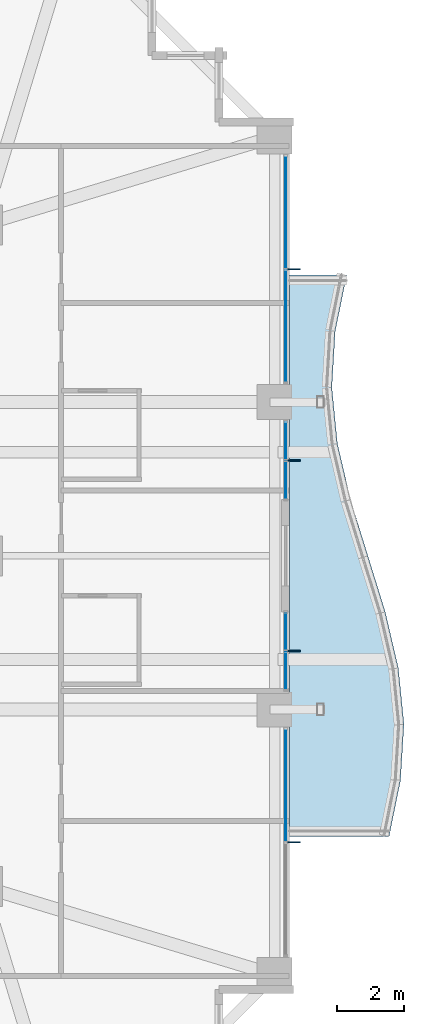
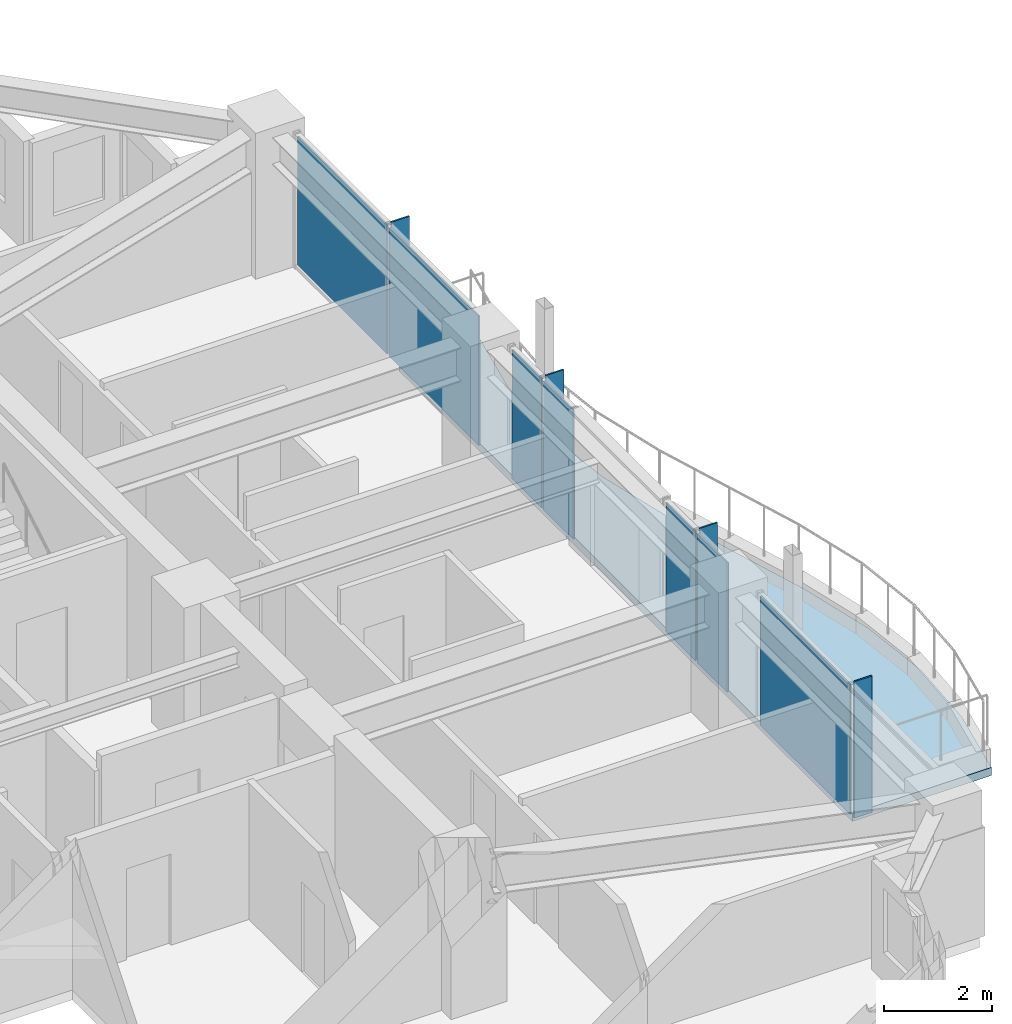
# One storey, part 27 of 35: 11 plates, 1 slab, 4 elements without a shape of their own.
"""IFC4 building model written with IfcOpenShell, lengths in metres."""

import ifcopenshell
import ifcopenshell.guid

model = None  # the IFC model being written
_history = None  # IfcOwnerHistory: only IFC2X3 demands one
_inside = {}  # id of a spatial element -> (the spatial element, [elements in it])
_under = {}  # id of a project, library or spatial element -> (it, [spatial elements below it])
_declared = {}  # id of a project -> (the project, [libraries it declares])
_typed = {}  # id of a type object -> (the type object, [elements of that type])
_made_of = {}  # id of a material, layer set ... -> (it, [elements and type objects made of it])


def new_model(schema):
    """Start an empty IFC model of exactly this schema.

    Asked for "IFC4X3", IfcOpenShell would pick the latest addendum, in which some entities
    have other attributes; the version numbers below select the first issue.
    IFC2X3 requires an IfcOwnerHistory on every rooted entity: one is made here for all.
    """
    global model, _history
    if schema == "IFC4X3":
        model = ifcopenshell.file(schema_version=(4, 3, 0, 0))
    else:
        model = ifcopenshell.file(schema=schema)
    _inside.clear()
    _under.clear()
    _declared.clear()
    _typed.clear()
    _made_of.clear()
    _history = None
    if model.schema == "IFC2X3":
        org = make("IfcOrganization", Name="unknown")
        user = make(
            "IfcPersonAndOrganization",
            ThePerson=make("IfcPerson", FamilyName="unknown"),
            TheOrganization=org,
        )
        app = make(
            "IfcApplication",
            ApplicationDeveloper=org,
            Version="unknown",
            ApplicationFullName="unknown",
            ApplicationIdentifier="unknown",
        )
        _history = make(
            "IfcOwnerHistory",
            OwningUser=user,
            OwningApplication=app,
            ChangeAction="ADDED",
            CreationDate=0,
        )
    return model


def make(cls, **values):
    """One entity of the class cls with the attributes given. An attribute that is None is left unset."""
    return model.create_entity(
        cls, **{name: value for name, value in values.items() if value is not None}
    )


def rooted(cls, **values):
    """An entity with a GlobalId (a new one), such as an element, a storey or a relation."""
    return make(cls, GlobalId=ifcopenshell.guid.new(), OwnerHistory=_history, **values)


def si_unit(unit_type, name, prefix=None):
    """IfcSIUnit, for example si_unit("LENGTHUNIT", "METRE", prefix="MILLI")."""
    return make("IfcSIUnit", UnitType=unit_type, Prefix=prefix, Name=name)


def assignment(units):
    """IfcUnitAssignment: the units of a project."""
    return None if units is None else make("IfcUnitAssignment", Units=units)


def point(xyz):
    """IfcCartesianPoint."""
    return None if xyz is None else make("IfcCartesianPoint", Coordinates=xyz)


def direction(xyz):
    """IfcDirection."""
    return None if xyz is None else make("IfcDirection", DirectionRatios=xyz)


def frame(location, z_axis=None, x_axis=None):
    """IfcAxis2Placement3D, a coordinate frame: its origin and axes. An axis left out is left unset."""
    return make(
        "IfcAxis2Placement3D",
        Location=point(location),
        Axis=direction(z_axis),
        RefDirection=direction(x_axis),
    )


def frame_2d(location, x_axis=None):
    """IfcAxis2Placement2D, a coordinate frame in the plane: its origin and x axis."""
    return make(
        "IfcAxis2Placement2D", Location=point(location), RefDirection=direction(x_axis)
    )


def origin():
    """The frame at (0, 0, 0) with its axes left unset."""
    return frame((0.0, 0.0, 0.0))


def origin_2d():
    """The frame at (0, 0) in the plane with its x axis left unset."""
    return frame_2d((0.0, 0.0))


def place(relative_to, where):
    """IfcLocalPlacement: puts the frame where relative to a parent placement (None: the world)."""
    return make(
        "IfcLocalPlacement", PlacementRelTo=relative_to, RelativePlacement=where
    )


def context(
    kind, dimensions, precision=None, world=None, true_north=None, identifier=None
):
    """IfcGeometricRepresentationContext, for example the 3D "Model" context."""
    return make(
        "IfcGeometricRepresentationContext",
        ContextIdentifier=identifier,
        ContextType=kind,
        CoordinateSpaceDimension=dimensions,
        Precision=precision,
        WorldCoordinateSystem=world,
        TrueNorth=true_north,
    )


def subcontext(parent, identifier, kind, view, scale=None):
    """IfcGeometricRepresentationSubContext, for example "Body" below "Model"."""
    return make(
        "IfcGeometricRepresentationSubContext",
        ContextIdentifier=identifier,
        ContextType=kind,
        ParentContext=parent,
        TargetScale=scale,
        TargetView=view,
    )


def project(units=None, contexts=None):
    """IfcProject with its units and contexts."""
    return rooted(
        "IfcProject",
        Name="project",
        RepresentationContexts=contexts,
        UnitsInContext=assignment(units),
    )


def spatial(cls, under=None, at=None, **own):
    """A site, building, storey or space (cls), placed at a placement, below another one or the project."""
    s = rooted(cls, ObjectPlacement=at, **own)
    if under is not None:
        _under.setdefault(under.id(), (under, []))[1].append(s)
    return s


def polyline(points):
    """IfcPolyline through the points."""
    return make("IfcPolyline", Points=[point(p) for p in points])


def profile(cls, at=None, kind="AREA", **sizes):
    """A parametric profile (cls). Its sizes go by their IFC names, for example OverallWidth=200.0."""
    return make(cls, ProfileType=kind, Position=at, **sizes)


def rectangle(**sizes):
    """IfcRectangleProfileDef."""
    return profile("IfcRectangleProfileDef", **sizes)


def outline(outer, holes=None, kind="AREA"):
    """IfcArbitraryClosedProfileDef: a profile drawn as a closed curve; with holes, ...WithVoids."""
    if holes is None:
        return make("IfcArbitraryClosedProfileDef", ProfileType=kind, OuterCurve=outer)
    return make(
        "IfcArbitraryProfileDefWithVoids",
        ProfileType=kind,
        OuterCurve=outer,
        InnerCurves=holes,
    )


def extrude(swept, where, along, depth):
    """IfcExtrudedAreaSolid: the profile swept, set in the frame where, extruded along a direction by depth."""
    return make(
        "IfcExtrudedAreaSolid",
        SweptArea=swept,
        Position=where,
        ExtrudedDirection=direction(along),
        Depth=depth,
    )


def shape(context_of_items, identifier, shape_type, items):
    """IfcShapeRepresentation: the items that make up one representation, for example the "Body"."""
    return make(
        "IfcShapeRepresentation",
        ContextOfItems=context_of_items,
        RepresentationIdentifier=identifier,
        RepresentationType=shape_type,
        Items=items,
    )


def material(Name=None, Category=None):
    """IfcMaterial."""
    return make("IfcMaterial", Name=Name, Category=Category)


def layer(
    of_material, thickness, ventilated=None, Name=None, Category=None, Priority=None
):
    """IfcMaterialLayer: one layer of a wall or slab, of a material (None: an air gap)."""
    return make(
        "IfcMaterialLayer",
        Material=of_material,
        LayerThickness=thickness,
        IsVentilated=ventilated,
        Name=Name,
        Category=Category,
        Priority=Priority,
    )


def layer_set(layers, Name=None):
    """IfcMaterialLayerSet."""
    return make("IfcMaterialLayerSet", MaterialLayers=layers, LayerSetName=Name)


def made_of(thing, what):
    """Note that an element or type object is made of a material, layer set ...; save() writes the relation."""
    if what is not None:
        _made_of.setdefault(what.id(), (what, []))[1].append(thing)
    return thing


def type_object(cls, material=None, **own):
    """A type object (cls), such as IfcWallType, which elements share."""
    return made_of(rooted(cls, **own), material)


def element(
    cls,
    number,
    at=None,
    inside=None,
    cuts=None,
    type_object=None,
    material=None,
    context=None,
    identifier="Body",
    shape_type=None,
    held_by="IfcProductDefinitionShape",
    body=None,
    shapes=None,
    **own,
):
    """One element of the class cls, such as IfcWall. Its Tag is "e" and its number.

    at: its placement. inside: the storey or other place that contains it. cuts: it is an
    opening in that element (IfcRelVoidsElement). A single representation is given by context,
    identifier, shape_type and body (its items); several are given by shapes. held_by: the class
    of the entity that holds the representations. save() writes the other relations.
    """
    e = rooted(cls, Tag="e%d" % number, ObjectPlacement=at, **own)
    if body is not None:
        shapes = [shape(context, identifier, shape_type, body)]
    if shapes is not None:
        e.Representation = make(held_by, Representations=shapes)
    if inside is not None:
        _inside.setdefault(inside.id(), (inside, []))[1].append(e)
    if cuts is not None:
        rooted(
            "IfcRelVoidsElement", RelatingBuildingElement=cuts, RelatedOpeningElement=e
        )
    if type_object is not None:
        _typed.setdefault(type_object.id(), (type_object, []))[1].append(e)
    return made_of(e, material)


def aggregate(whole, parts):
    """IfcRelAggregates: a whole, such as a stair, and the parts it consists of."""
    return rooted("IfcRelAggregates", RelatingObject=whole, RelatedObjects=parts)


def save(model, path):
    """Write the relations noted so far, then the file.

    IfcRelAggregates (storeys below a building ...), IfcRelContainedInSpatialStructure (elements
    in a storey), IfcRelDefinesByType, IfcRelAssociatesMaterial and IfcRelDeclares: one each for
    every whole, place, type object, material and project.
    """
    for whole, parts in _under.values():
        aggregate(whole, parts)
    for where, things in _inside.values():
        rooted(
            "IfcRelContainedInSpatialStructure",
            RelatedElements=things,
            RelatingStructure=where,
        )
    for kind, things in _typed.values():
        rooted("IfcRelDefinesByType", RelatedObjects=things, RelatingType=kind)
    for what, things in _made_of.values():
        rooted("IfcRelAssociatesMaterial", RelatedObjects=things, RelatingMaterial=what)
    for by, libraries in _declared.values():
        rooted("IfcRelDeclares", RelatingContext=by, RelatedDefinitions=libraries)
    model.write(path)


model = new_model("IFC4")

# Units and contexts
model_context = context("Model", 3, precision=1e-05, world=origin(), true_north=direction((0.0, 1.0)))
body_context = subcontext(model_context, "Body", "Model", "MODEL_VIEW")
ifc_project = project(units=[si_unit("LENGTHUNIT", "METRE"), si_unit("AREAUNIT", "SQUARE_METRE"), si_unit("VOLUMEUNIT", "CUBIC_METRE"), si_unit("PLANEANGLEUNIT", "RADIAN"), si_unit("MASSUNIT", "GRAM", prefix="KILO")], contexts=[model_context])

# Site, building, storey
site_placement = place(None, origin())
site = spatial("IfcSite", under=ifc_project, at=site_placement, CompositionType="ELEMENT")
building_placement = place(site_placement, origin())
building = spatial("IfcBuilding", under=site, at=building_placement, Name="Kolvaren Belvedere", CompositionType="ELEMENT")
storey_placement = place(building_placement, frame((0.0, 0.0, 115.10009765625)))
storey = spatial("IfcBuildingStorey", under=building, at=storey_placement, Name="L33", CompositionType="ELEMENT", Elevation=115.10009765625)

# Curtain wall, plates
ifc_material_1 = material(Name="Anodised pale-metal aluminium AA 6063-T6", Category="aluminium")
curtain_wall_type = type_object("IfcCurtainWallType", Name="CW-Z3-WAIST", PredefinedType="NOTDEFINED", material=ifc_material_1)
curtain_wall_1_placement = place(storey_placement, origin())
curtain_wall_1 = element("IfcCurtainWall", 1, at=curtain_wall_1_placement, inside=storey, type_object=curtain_wall_type, Name="L33 Unitised Curtain Wall FCW-L33-E1-B1", PredefinedType="NOTDEFINED")
ifc_material_2 = material(Name="Low-iron triple insulated glass", Category="glass")
ifc_layer_1 = layer(ifc_material_2, 0.028076171875)
ifc_layer_set_1 = layer_set([ifc_layer_1], Name="Low-iron triple insulated glass")
plate_type_1 = type_object("IfcPlateType", Name="CW-PNL-VIS28", PredefinedType="CURTAIN_PANEL", material=ifc_layer_set_1)
plate_1_placement = place(storey_placement, frame((18.97998046875, 10.273681640625, 0.079833984375), z_axis=(0.0, 0.0, 1.0), x_axis=(0.0, -1.0, 0.0)))
plate_1 = element("IfcPlate", 2, at=plate_1_placement, type_object=plate_type_1, Name="FCW-L33-E1-B1 Vision Glazing Panel 1", PredefinedType="CURTAIN_PANEL", context=body_context, shape_type="SweptSolid", body=[
    extrude(rectangle(XDim=3.3173828125, YDim=0.028076171875, at=origin_2d()), origin(), (0.0, 0.0, 1.0), 2.919921875),
])
plate_2_placement = place(storey_placement, frame((18.97998046875, 6.876220703125, 0.079833984375), z_axis=(0.0, 0.0, 1.0), x_axis=(0.0, -1.0, 0.0)))
plate_2 = element("IfcPlate", 3, at=plate_2_placement, type_object=plate_type_1, Name="FCW-L33-E1-B1 Vision Glazing Panel 2", PredefinedType="CURTAIN_PANEL", context=body_context, shape_type="SweptSolid", body=[
    extrude(rectangle(XDim=3.3173828125, YDim=0.028076171875, at=origin_2d()), origin(), (0.0, 0.0, 1.0), 2.919921875),
])
aggregate(curtain_wall_1, [plate_1, plate_2])

curtain_wall_2_placement = place(storey_placement, origin())
curtain_wall_2 = element("IfcCurtainWall", 4, at=curtain_wall_2_placement, inside=storey, type_object=curtain_wall_type, Name="L33 Unitised Curtain Wall FCW-L33-E1-B2", PredefinedType="NOTDEFINED")
plate_3_placement = place(storey_placement, frame((18.97998046875, 3.43701171875, 0.079833984375), z_axis=(0.0, 0.0, 1.0), x_axis=(0.0, -1.0, 0.0)))
plate_3 = element("IfcPlate", 5, at=plate_3_placement, type_object=plate_type_1, Name="FCW-L33-E1-B2 Vision Glazing Panel 1", PredefinedType="CURTAIN_PANEL", context=body_context, shape_type="SweptSolid", body=[
    extrude(rectangle(XDim=1.09130859375, YDim=0.028076171875, at=origin_2d()), origin(), (0.0, 0.0, 1.0), 2.919921875),
])
plate_4_placement = place(storey_placement, frame((18.97998046875, 2.265625, 0.079833984375), z_axis=(0.0, 0.0, 1.0), x_axis=(0.0, -1.0, 0.0)))
plate_4 = element("IfcPlate", 6, at=plate_4_placement, type_object=plate_type_1, Name="FCW-L33-E1-B2 Vision Glazing Panel 2", PredefinedType="CURTAIN_PANEL", context=body_context, shape_type="SweptSolid", body=[
    extrude(rectangle(XDim=1.09130859375, YDim=0.028076171875, at=origin_2d()), origin(), (0.0, 0.0, 1.0), 2.919921875),
])
aggregate(curtain_wall_2, [plate_3, plate_4])

curtain_wall_3_placement = place(storey_placement, origin())
curtain_wall_3 = element("IfcCurtainWall", 7, at=curtain_wall_3_placement, inside=storey, type_object=curtain_wall_type, Name="L33 Unitised Curtain Wall FCW-L33-E2-B1", PredefinedType="NOTDEFINED")
plate_5_placement = place(storey_placement, frame((18.97998046875, -2.265625, 0.079833984375), z_axis=(0.0, 0.0, 1.0), x_axis=(0.0, -1.0, 0.0)))
plate_5 = element("IfcPlate", 8, at=plate_5_placement, type_object=plate_type_1, Name="FCW-L33-E2-B1 Vision Glazing Panel 1", PredefinedType="CURTAIN_PANEL", context=body_context, shape_type="SweptSolid", body=[
    extrude(rectangle(XDim=1.09130859375, YDim=0.028076171875, at=origin_2d()), origin(), (0.0, 0.0, 1.0), 2.919921875),
])
plate_6_placement = place(storey_placement, frame((18.97998046875, -3.43701171875, 0.079833984375), z_axis=(0.0, 0.0, 1.0), x_axis=(0.0, -1.0, 0.0)))
plate_6 = element("IfcPlate", 9, at=plate_6_placement, type_object=plate_type_1, Name="FCW-L33-E2-B1 Vision Glazing Panel 2", PredefinedType="CURTAIN_PANEL", context=body_context, shape_type="SweptSolid", body=[
    extrude(rectangle(XDim=1.09130859375, YDim=0.028076171875, at=origin_2d()), origin(), (0.0, 0.0, 1.0), 2.919921875),
])
aggregate(curtain_wall_3, [plate_5, plate_6])

# Curtain wall, plate
curtain_wall_4_placement = place(storey_placement, origin())
curtain_wall_4 = element("IfcCurtainWall", 10, at=curtain_wall_4_placement, inside=storey, type_object=curtain_wall_type, Name="L33 Unitised Curtain Wall FCW-L33-E2-B2", PredefinedType="NOTDEFINED")
plate_7_placement = place(storey_placement, frame((18.97998046875, -6.876220703125, 0.079833984375), z_axis=(0.0, 0.0, 1.0), x_axis=(0.0, -1.0, 0.0)))
plate_7 = element("IfcPlate", 11, at=plate_7_placement, type_object=plate_type_1, Name="FCW-L33-E2-B2 Vision Glazing Panel 1", PredefinedType="CURTAIN_PANEL", context=body_context, shape_type="SweptSolid", body=[
    extrude(rectangle(XDim=3.3173828125, YDim=0.028076171875, at=origin_2d()), origin(), (0.0, 0.0, 1.0), 2.919921875),
])
aggregate(curtain_wall_4, [plate_7])

# Plates
ifc_material_3 = material(Name="Anodised pale-metal aluminium AA 6063-T6", Category="aluminium")
ifc_layer_2 = layer(ifc_material_3, 0.033935546875)
ifc_layer_set_2 = layer_set([ifc_layer_2], Name="Anodised pale-metal aluminium AA 6063-T6")
plate_type_2 = type_object("IfcPlateType", Name="FIN-VERT-380", PredefinedType="USERDEFINED", material=ifc_layer_set_2)
for number, where, z_axis, x_axis, name in (
    (12, (19.219970703125, 8.574951171875, -0.000244140625), (0.0, 0.0, 1.0), (1.0, 0.0, 0.0), "L33 Pale-Metal Vertical Shading Fin FCW-L33-E1-B1-1"),
    (13, (19.219970703125, 2.851318359375, -0.000244140625), (0.0, 0.0, 1.0), (1.0, 0.0, 0.0), "L33 Pale-Metal Vertical Shading Fin FCW-L33-E1-B2-1"),
    (14, (19.219970703125, -2.851318359375, -0.000244140625), (0.0, 0.0, 1.0), (1.0, 0.0, 0.0), "L33 Pale-Metal Vertical Shading Fin FCW-L33-E2-B1-1"),
    (15, (19.219970703125, -8.574951171875, -0.000244140625), (0.0, 0.0, 1.0), (1.0, 0.0, 0.0), "L33 Pale-Metal Vertical Shading Fin FCW-L33-E2-B2-1"),
):
    element("IfcPlate", number, at=place(storey_placement, frame(where, z_axis=z_axis, x_axis=x_axis)), inside=storey, type_object=plate_type_2, Name=name, ObjectType="VERTICAL FIN", PredefinedType="USERDEFINED", context=body_context, shape_type="SweptSolid", body=[
        extrude(rectangle(XDim=0.3798828125, YDim=0.033935546875, at=origin_2d()), origin(), (0.0, 0.0, 1.0), 3.080078125),
    ])

# Slab
ifc_material_4 = material(Name="Concrete C50/60", Category="concrete")
ifc_layer_3 = layer(ifc_material_4, 0.179931640625)
ifc_layer_set_3 = layer_set([ifc_layer_3], Name="Concrete C50/60")
slab_type = type_object("IfcSlabType", Name="SL-BAL-180", PredefinedType="FLOOR", material=ifc_layer_set_3)
slab_placement = place(storey_placement, frame((0.0, 0.0, -0.22021484375)))
element("IfcSlab", 16, at=slab_placement, inside=storey, type_object=slab_type, Name="L33 Planted Balcony BAL-E", PredefinedType="FLOOR", context=body_context, shape_type="SweptSolid", body=[
    extrude(outline(polyline([(22.07470703125, -8.39990234375), (22.417236328125, -6.719970703125), (22.52001953125, -5.0400390625), (22.351806640625, -3.360107421875), (21.960205078125, -1.679931640625), (21.43994140625, 0.0), (20.919677734375, 1.679931640625), (20.528076171875, 3.360107421875), (20.362060546875, 5.0400390625), (20.462890625, 6.719970703125), (20.80517578125, 8.39990234375), (19.10009765625, 8.39990234375), (19.10009765625, 6.719970703125), (19.10009765625, 5.0400390625), (19.10009765625, 3.360107421875), (19.10009765625, 1.679931640625), (19.10009765625, 0.0), (19.10009765625, -1.679931640625), (19.10009765625, -3.360107421875), (19.10009765625, -5.0400390625), (19.10009765625, -6.719970703125), (19.10009765625, -8.39990234375), (22.07470703125, -8.39990234375)])), origin(), (0.0, 0.0, 1.0), 0.18017578125),
])

save(model, "model.ifc")
